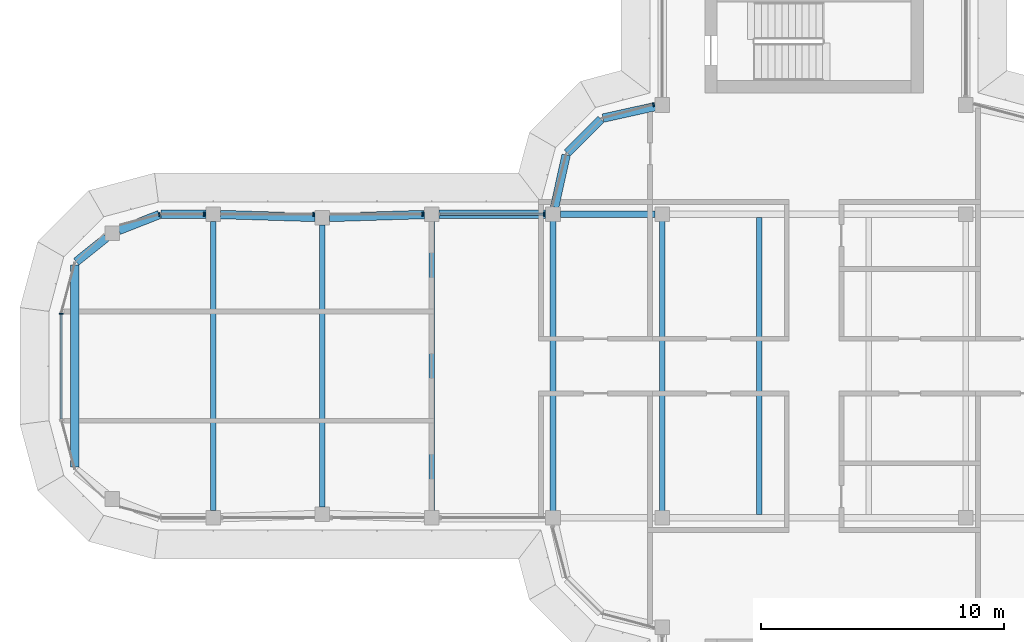
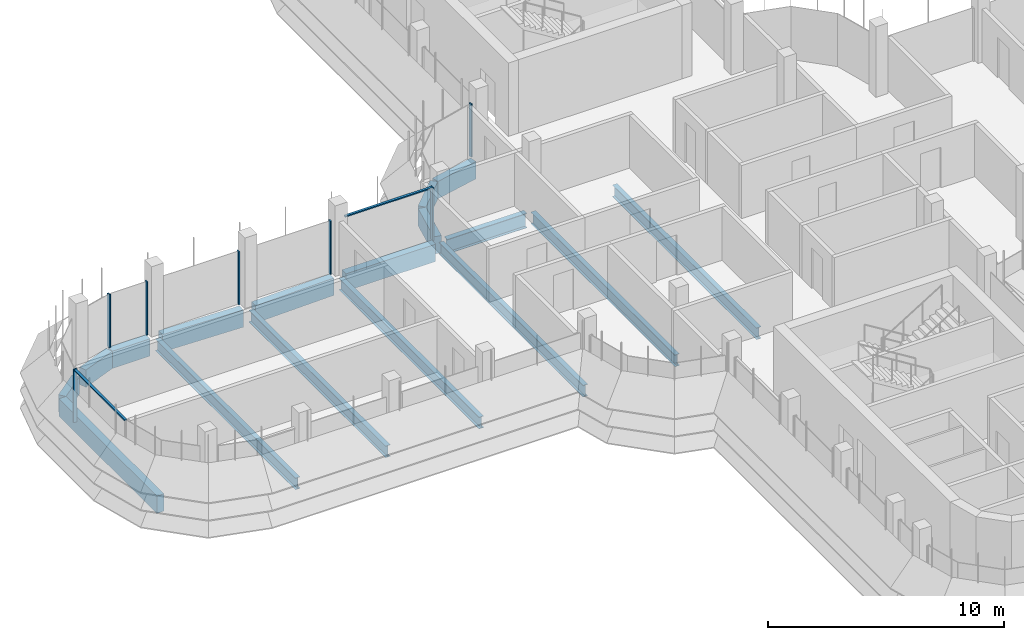
# One storey, part 6 of 19: 17 beams, 9 members, 4 elements without a shape of their own.
"""IFC4 building model written with IfcOpenShell, lengths in metres."""

import ifcopenshell
import ifcopenshell.guid

model = None  # the IFC model being written
_history = None  # IfcOwnerHistory: only IFC2X3 demands one
_inside = {}  # id of a spatial element -> (the spatial element, [elements in it])
_under = {}  # id of a project, library or spatial element -> (it, [spatial elements below it])
_declared = {}  # id of a project -> (the project, [libraries it declares])
_typed = {}  # id of a type object -> (the type object, [elements of that type])
_made_of = {}  # id of a material, layer set ... -> (it, [elements and type objects made of it])


def new_model(schema):
    """Start an empty IFC model of exactly this schema.

    Asked for "IFC4X3", IfcOpenShell would pick the latest addendum, in which some entities
    have other attributes; the version numbers below select the first issue.
    IFC2X3 requires an IfcOwnerHistory on every rooted entity: one is made here for all.
    """
    global model, _history
    if schema == "IFC4X3":
        model = ifcopenshell.file(schema_version=(4, 3, 0, 0))
    else:
        model = ifcopenshell.file(schema=schema)
    _inside.clear()
    _under.clear()
    _declared.clear()
    _typed.clear()
    _made_of.clear()
    _history = None
    if model.schema == "IFC2X3":
        org = make("IfcOrganization", Name="unknown")
        user = make(
            "IfcPersonAndOrganization",
            ThePerson=make("IfcPerson", FamilyName="unknown"),
            TheOrganization=org,
        )
        app = make(
            "IfcApplication",
            ApplicationDeveloper=org,
            Version="unknown",
            ApplicationFullName="unknown",
            ApplicationIdentifier="unknown",
        )
        _history = make(
            "IfcOwnerHistory",
            OwningUser=user,
            OwningApplication=app,
            ChangeAction="ADDED",
            CreationDate=0,
        )
    return model


def make(cls, **values):
    """One entity of the class cls with the attributes given. An attribute that is None is left unset."""
    return model.create_entity(
        cls, **{name: value for name, value in values.items() if value is not None}
    )


def rooted(cls, **values):
    """An entity with a GlobalId (a new one), such as an element, a storey or a relation."""
    return make(cls, GlobalId=ifcopenshell.guid.new(), OwnerHistory=_history, **values)


def si_unit(unit_type, name, prefix=None):
    """IfcSIUnit, for example si_unit("LENGTHUNIT", "METRE", prefix="MILLI")."""
    return make("IfcSIUnit", UnitType=unit_type, Prefix=prefix, Name=name)


def assignment(units):
    """IfcUnitAssignment: the units of a project."""
    return None if units is None else make("IfcUnitAssignment", Units=units)


def point(xyz):
    """IfcCartesianPoint."""
    return None if xyz is None else make("IfcCartesianPoint", Coordinates=xyz)


def direction(xyz):
    """IfcDirection."""
    return None if xyz is None else make("IfcDirection", DirectionRatios=xyz)


def frame(location, z_axis=None, x_axis=None):
    """IfcAxis2Placement3D, a coordinate frame: its origin and axes. An axis left out is left unset."""
    return make(
        "IfcAxis2Placement3D",
        Location=point(location),
        Axis=direction(z_axis),
        RefDirection=direction(x_axis),
    )


def frame_2d(location, x_axis=None):
    """IfcAxis2Placement2D, a coordinate frame in the plane: its origin and x axis."""
    return make(
        "IfcAxis2Placement2D", Location=point(location), RefDirection=direction(x_axis)
    )


def origin():
    """The frame at (0, 0, 0) with its axes left unset."""
    return frame((0.0, 0.0, 0.0))


def origin_2d():
    """The frame at (0, 0) in the plane with its x axis left unset."""
    return frame_2d((0.0, 0.0))


def place(relative_to, where):
    """IfcLocalPlacement: puts the frame where relative to a parent placement (None: the world)."""
    return make(
        "IfcLocalPlacement", PlacementRelTo=relative_to, RelativePlacement=where
    )


def context(
    kind, dimensions, precision=None, world=None, true_north=None, identifier=None
):
    """IfcGeometricRepresentationContext, for example the 3D "Model" context."""
    return make(
        "IfcGeometricRepresentationContext",
        ContextIdentifier=identifier,
        ContextType=kind,
        CoordinateSpaceDimension=dimensions,
        Precision=precision,
        WorldCoordinateSystem=world,
        TrueNorth=true_north,
    )


def subcontext(parent, identifier, kind, view, scale=None):
    """IfcGeometricRepresentationSubContext, for example "Body" below "Model"."""
    return make(
        "IfcGeometricRepresentationSubContext",
        ContextIdentifier=identifier,
        ContextType=kind,
        ParentContext=parent,
        TargetScale=scale,
        TargetView=view,
    )


def project(units=None, contexts=None):
    """IfcProject with its units and contexts."""
    return rooted(
        "IfcProject",
        Name="project",
        RepresentationContexts=contexts,
        UnitsInContext=assignment(units),
    )


def spatial(cls, under=None, at=None, **own):
    """A site, building, storey or space (cls), placed at a placement, below another one or the project."""
    s = rooted(cls, ObjectPlacement=at, **own)
    if under is not None:
        _under.setdefault(under.id(), (under, []))[1].append(s)
    return s


def polyline(points):
    """IfcPolyline through the points."""
    return make("IfcPolyline", Points=[point(p) for p in points])


def profile(cls, at=None, kind="AREA", **sizes):
    """A parametric profile (cls). Its sizes go by their IFC names, for example OverallWidth=200.0."""
    return make(cls, ProfileType=kind, Position=at, **sizes)


def rectangle(**sizes):
    """IfcRectangleProfileDef."""
    return profile("IfcRectangleProfileDef", **sizes)


def i_section(**sizes):
    """IfcIShapeProfileDef."""
    return profile("IfcIShapeProfileDef", **sizes)


def outline(outer, holes=None, kind="AREA"):
    """IfcArbitraryClosedProfileDef: a profile drawn as a closed curve; with holes, ...WithVoids."""
    if holes is None:
        return make("IfcArbitraryClosedProfileDef", ProfileType=kind, OuterCurve=outer)
    return make(
        "IfcArbitraryProfileDefWithVoids",
        ProfileType=kind,
        OuterCurve=outer,
        InnerCurves=holes,
    )


def extrude(swept, where, along, depth):
    """IfcExtrudedAreaSolid: the profile swept, set in the frame where, extruded along a direction by depth."""
    return make(
        "IfcExtrudedAreaSolid",
        SweptArea=swept,
        Position=where,
        ExtrudedDirection=direction(along),
        Depth=depth,
    )


def shape(context_of_items, identifier, shape_type, items):
    """IfcShapeRepresentation: the items that make up one representation, for example the "Body"."""
    return make(
        "IfcShapeRepresentation",
        ContextOfItems=context_of_items,
        RepresentationIdentifier=identifier,
        RepresentationType=shape_type,
        Items=items,
    )


def source(mapping_origin, context_of_items, identifier, shape_type, items):
    """IfcRepresentationMap: a shape defined once, which mapped items show again and again."""
    return make(
        "IfcRepresentationMap",
        MappingOrigin=mapping_origin,
        MappedRepresentation=shape(context_of_items, identifier, shape_type, items),
    )


def transform(
    local_origin,
    x_axis=None,
    y_axis=None,
    z_axis=None,
    scale=None,
    scale2=None,
    scale3=None,
    uniform=True,
):
    """IfcCartesianTransformationOperator3D, or its non-uniform kind. x_axis, y_axis, z_axis: its Axis1, 2, 3."""
    if uniform:
        return make(
            "IfcCartesianTransformationOperator3D",
            Axis1=direction(x_axis),
            Axis2=direction(y_axis),
            LocalOrigin=point(local_origin),
            Scale=scale,
            Axis3=direction(z_axis),
        )
    return make(
        "IfcCartesianTransformationOperator3DnonUniform",
        Axis1=direction(x_axis),
        Axis2=direction(y_axis),
        LocalOrigin=point(local_origin),
        Scale=scale,
        Axis3=direction(z_axis),
        Scale2=scale2,
        Scale3=scale3,
    )


def mapped(mapping_source, mapping_target):
    """IfcMappedItem: shows the shape of a source again, moved by a transform."""
    return make(
        "IfcMappedItem", MappingSource=mapping_source, MappingTarget=mapping_target
    )


def material(Name=None, Category=None):
    """IfcMaterial."""
    return make("IfcMaterial", Name=Name, Category=Category)


def material_profile(
    of_material, cross_section, Name=None, Category=None, Priority=None
):
    """IfcMaterialProfile: a cross section and its material."""
    return make(
        "IfcMaterialProfile",
        Name=Name,
        Material=of_material,
        Profile=cross_section,
        Priority=Priority,
        Category=Category,
    )


def profile_set(profiles, Name=None, composite=None):
    """IfcMaterialProfileSet."""
    return make(
        "IfcMaterialProfileSet",
        Name=Name,
        MaterialProfiles=profiles,
        CompositeProfile=composite,
    )


def made_of(thing, what):
    """Note that an element or type object is made of a material, layer set ...; save() writes the relation."""
    if what is not None:
        _made_of.setdefault(what.id(), (what, []))[1].append(thing)
    return thing


def type_object(cls, material=None, **own):
    """A type object (cls), such as IfcWallType, which elements share."""
    return made_of(rooted(cls, **own), material)


def element(
    cls,
    number,
    at=None,
    inside=None,
    cuts=None,
    type_object=None,
    material=None,
    context=None,
    identifier="Body",
    shape_type=None,
    held_by="IfcProductDefinitionShape",
    body=None,
    shapes=None,
    **own,
):
    """One element of the class cls, such as IfcWall. Its Tag is "e" and its number.

    at: its placement. inside: the storey or other place that contains it. cuts: it is an
    opening in that element (IfcRelVoidsElement). A single representation is given by context,
    identifier, shape_type and body (its items); several are given by shapes. held_by: the class
    of the entity that holds the representations. save() writes the other relations.
    """
    e = rooted(cls, Tag="e%d" % number, ObjectPlacement=at, **own)
    if body is not None:
        shapes = [shape(context, identifier, shape_type, body)]
    if shapes is not None:
        e.Representation = make(held_by, Representations=shapes)
    if inside is not None:
        _inside.setdefault(inside.id(), (inside, []))[1].append(e)
    if cuts is not None:
        rooted(
            "IfcRelVoidsElement", RelatingBuildingElement=cuts, RelatedOpeningElement=e
        )
    if type_object is not None:
        _typed.setdefault(type_object.id(), (type_object, []))[1].append(e)
    return made_of(e, material)


def aggregate(whole, parts):
    """IfcRelAggregates: a whole, such as a stair, and the parts it consists of."""
    return rooted("IfcRelAggregates", RelatingObject=whole, RelatedObjects=parts)


def save(model, path):
    """Write the relations noted so far, then the file.

    IfcRelAggregates (storeys below a building ...), IfcRelContainedInSpatialStructure (elements
    in a storey), IfcRelDefinesByType, IfcRelAssociatesMaterial and IfcRelDeclares: one each for
    every whole, place, type object, material and project.
    """
    for whole, parts in _under.values():
        aggregate(whole, parts)
    for where, things in _inside.values():
        rooted(
            "IfcRelContainedInSpatialStructure",
            RelatedElements=things,
            RelatingStructure=where,
        )
    for kind, things in _typed.values():
        rooted("IfcRelDefinesByType", RelatedObjects=things, RelatingType=kind)
    for what, things in _made_of.values():
        rooted("IfcRelAssociatesMaterial", RelatedObjects=things, RelatingMaterial=what)
    for by, libraries in _declared.values():
        rooted("IfcRelDeclares", RelatingContext=by, RelatedDefinitions=libraries)
    model.write(path)


model = new_model("IFC4")

# Units and contexts
model_context = context("Model", 3, precision=1e-05, world=origin(), true_north=direction((0.0, 1.0)))
body_context = subcontext(model_context, "Body", "Model", "MODEL_VIEW")
ifc_project = project(units=[si_unit("LENGTHUNIT", "METRE"), si_unit("AREAUNIT", "SQUARE_METRE"), si_unit("VOLUMEUNIT", "CUBIC_METRE"), si_unit("PLANEANGLEUNIT", "RADIAN"), si_unit("MASSUNIT", "GRAM", prefix="KILO")], contexts=[model_context])

# Site, building, storey
site_placement = place(None, origin())
site = spatial("IfcSite", under=ifc_project, at=site_placement, CompositionType="ELEMENT")
building_placement = place(site_placement, origin())
building = spatial("IfcBuilding", under=site, at=building_placement, Name="Zarbagh Exchange Tower", CompositionType="ELEMENT")
storey_placement = place(building_placement, frame((0.0, 0.0, 272.60009765625)))
storey = spatial("IfcBuildingStorey", under=building, at=storey_placement, Name="L67", CompositionType="ELEMENT", Elevation=272.60009765625)

# Beams
ifc_material_1 = material(Name="Steel ASTM A992 Gr 50", Category="steel")
ifc_material_profile_1 = material_profile(ifc_material_1, i_section(OverallWidth=0.228271484375, OverallDepth=0.607177734375, WebThickness=0.01123046875, FlangeThickness=0.017333984375, at=origin_2d()), Name="W24X76")
ifc_profile_set_1 = profile_set([ifc_material_profile_1], Name="Steel ASTM A992 Gr 50")
beam_type_1 = type_object("IfcBeamType", Name="Floor beam W24X76", PredefinedType="BEAM", material=ifc_profile_set_1)
for number, where, z_axis, x_axis, name in (
    (1, (-10.75, -6.11669921875, -0.45361328125), (0.0, 1.0, 0.0), (-1.0, 0.0, 0.0), "Steel floor beam"),
    (2, (-6.25, -6.11669921875, -0.45361328125), (0.0, 1.0, 0.0), (-1.0, 0.0, 0.0), "Steel floor beam"),
    (3, (-2.25, -6.11669921875, -0.45361328125), (0.0, 1.0, 0.0), (-1.0, 0.0, 0.0), "Steel floor beam"),
):
    element("IfcBeam", number, at=place(storey_placement, frame(where, z_axis=z_axis, x_axis=x_axis)), inside=storey, type_object=beam_type_1, Name=name, PredefinedType="BEAM", context=body_context, shape_type="SweptSolid", body=[
        extrude(i_section(OverallWidth=0.228271484375, OverallDepth=0.607177734375, WebThickness=0.01123046875, FlangeThickness=0.017333984375, at=origin_2d()), origin(), (0.0, 0.0, 1.0), 12.2333984375),
    ])
beam_1_placement = place(storey_placement, frame((-15.75, -5.949951171875, -0.45361328125), z_axis=(0.0, 1.0, 0.0), x_axis=(-1.0, 0.0, 0.0)))
element("IfcBeam", 4, at=beam_1_placement, inside=storey, type_object=beam_type_1, Name="Steel floor beam", PredefinedType="BEAM", context=body_context, shape_type="SweptSolid", body=[
    extrude(i_section(OverallWidth=0.228271484375, OverallDepth=0.607177734375, WebThickness=0.01123046875, FlangeThickness=0.017333984375, at=origin_2d()), origin(), (0.0, 0.0, 1.0), 11.89990234375),
])
beam_2_placement = place(storey_placement, frame((-20.25, -5.81005859375, -0.45361328125), z_axis=(0.0, 1.0, 0.0), x_axis=(-1.0, 0.0, 0.0)))
element("IfcBeam", 5, at=beam_2_placement, inside=storey, type_object=beam_type_1, Name="Steel floor beam", PredefinedType="BEAM", context=body_context, shape_type="SweptSolid", body=[
    extrude(i_section(OverallWidth=0.228271484375, OverallDepth=0.607177734375, WebThickness=0.01123046875, FlangeThickness=0.017333984375, at=origin_2d()), origin(), (0.0, 0.0, 1.0), 11.6201171875),
])
beam_3_placement = place(storey_placement, frame((-24.75, -5.949951171875, -0.45361328125), z_axis=(0.0, 1.0, 0.0), x_axis=(-1.0, 0.0, 0.0)))
element("IfcBeam", 6, at=beam_3_placement, inside=storey, type_object=beam_type_1, Name="Steel floor beam", PredefinedType="BEAM", context=body_context, shape_type="SweptSolid", body=[
    extrude(i_section(OverallWidth=0.228271484375, OverallDepth=0.607177734375, WebThickness=0.01123046875, FlangeThickness=0.017333984375, at=origin_2d()), origin(), (0.0, 0.0, 1.0), 11.89990234375),
])
ifc_material_profile_2 = material_profile(ifc_material_1, i_section(OverallWidth=0.2666015625, OverallDepth=0.7568359375, WebThickness=0.013916015625, FlangeThickness=0.019287109375, at=origin_2d()), Name="W30X108")
ifc_profile_set_2 = profile_set([ifc_material_profile_2], Name="Steel ASTM A992 Gr 50")
beam_type_2 = type_object("IfcBeamType", Name="Floor girder W30X108", PredefinedType="BEAM", material=ifc_profile_set_2)
beam_4_placement = place(storey_placement, frame((-10.449951171875, 6.25, -0.528564453125), z_axis=(1.0, 0.0, 0.0), x_axis=(0.0, 1.0, 0.0)))
element("IfcBeam", 7, at=beam_4_placement, inside=storey, type_object=beam_type_2, Name="Steel girder", PredefinedType="BEAM", context=body_context, shape_type="SweptSolid", body=[
    extrude(i_section(OverallWidth=0.2666015625, OverallDepth=0.7568359375, WebThickness=0.013916015625, FlangeThickness=0.019287109375, at=origin_2d()), origin(), (0.0, 0.0, 1.0), 3.89990234375),
])
ifc_material_2 = material(Name="Concrete C40/50", Category="concrete")
ifc_material_profile_3 = material_profile(ifc_material_2, rectangle(XDim=0.35009765625, YDim=0.89990234375, at=origin_2d()), Name="RC spandrel beam 350 x 900 C40/50")
ifc_profile_set_3 = profile_set([ifc_material_profile_3], Name="Concrete C40/50")
beam_type_3 = type_object("IfcBeamType", Name="RC spandrel beam 350 x 900 C40/50", PredefinedType="SPANDREL", material=ifc_profile_set_3)
beam_5_placement = place(storey_placement, frame((-30.44873046875, -4.156982421875, -0.60009765625), z_axis=(0.0, 1.0, 0.0), x_axis=(-1.0, 0.0, 0.0)))
element("IfcBeam", 8, at=beam_5_placement, inside=storey, type_object=beam_type_3, Name="RC spandrel beam", PredefinedType="SPANDREL", context=body_context, shape_type="SweptSolid", body=[
    extrude(rectangle(XDim=0.35009765625, YDim=0.89990234375, at=origin_2d()), origin(), (0.0, 0.0, 1.0), 8.31396484375),
])
beam_6_placement = place(storey_placement, frame((-30.38330078125, 4.293701171875, -0.60009765625), z_axis=(0.780584122498, 0.625050740104, 0.0), x_axis=(-0.625050740104, 0.780584122498, 0.0)))
element("IfcBeam", 9, at=beam_6_placement, inside=storey, type_object=beam_type_3, Name="RC spandrel beam", PredefinedType="SPANDREL", context=body_context, shape_type="SweptSolid", body=[
    extrude(rectangle(XDim=0.35009765625, YDim=0.89990234375, at=origin_2d()), origin(), (0.0, 0.0, 1.0), 1.590087890625),
])
beam_7_placement = place(storey_placement, frame((-28.62890625, 5.584716796875, -0.60009765625), z_axis=(0.930859366381, 0.365377667655, 0.0), x_axis=(-0.365377667655, 0.930859366381, 0.0)))
element("IfcBeam", 10, at=beam_7_placement, inside=storey, type_object=beam_type_3, Name="RC spandrel beam", PredefinedType="SPANDREL", context=body_context, shape_type="SweptSolid", body=[
    extrude(rectangle(XDim=0.35009765625, YDim=0.89990234375, at=origin_2d()), origin(), (0.0, 0.0, 1.0), 1.787353515625),
])
beam_8_placement = place(storey_placement, frame((-26.90087890625, 6.25, -0.60009765625), z_axis=(1.0, 0.0, 0.0), x_axis=(0.0, 1.0, 0.0)))
element("IfcBeam", 11, at=beam_8_placement, inside=storey, type_object=beam_type_3, Name="RC spandrel beam", PredefinedType="SPANDREL", context=body_context, shape_type="SweptSolid", body=[
    extrude(rectangle(XDim=0.35009765625, YDim=0.89990234375, at=origin_2d()), origin(), (0.0, 0.0, 1.0), 1.850830078125),
])
for number, where, z_axis, x_axis, name in (
    (12, (-24.4501953125, 6.24072265625, -0.60009765625), (0.999516460907, -0.031094121249, 0.0), (0.031094121249, 0.999516460907, 0.0), "RC spandrel beam"),
    (13, (-19.9501953125, 6.119384765625, -0.60009765625), (0.999516460907, 0.031094121249, 0.0), (-0.031094121249, 0.999516460907, 0.0), "RC spandrel beam"),
):
    element("IfcBeam", number, at=place(storey_placement, frame(where, z_axis=z_axis, x_axis=x_axis)), inside=storey, type_object=beam_type_3, Name=name, PredefinedType="SPANDREL", context=body_context, shape_type="SweptSolid", body=[
        extrude(rectangle(XDim=0.35009765625, YDim=0.89990234375, at=origin_2d()), origin(), (0.0, 0.0, 1.0), 3.90234375),
    ])
beam_9_placement = place(storey_placement, frame((-15.449951171875, 6.25, -0.60009765625), z_axis=(1.0, 0.0, 0.0), x_axis=(0.0, 1.0, 0.0)))
element("IfcBeam", 14, at=beam_9_placement, inside=storey, type_object=beam_type_3, Name="RC spandrel beam", PredefinedType="SPANDREL", context=body_context, shape_type="SweptSolid", body=[
    extrude(rectangle(XDim=0.35009765625, YDim=0.89990234375, at=origin_2d()), origin(), (0.0, 0.0, 1.0), 4.39990234375),
])
beam_10_placement = place(storey_placement, frame((-10.685302734375, 6.54296875, -0.60009765625), z_axis=(0.216025770228, 0.976387662047, 0.0), x_axis=(-0.976387662047, 0.216025770228, 0.0)))
element("IfcBeam", 15, at=beam_10_placement, inside=storey, type_object=beam_type_3, Name="RC spandrel beam", PredefinedType="SPANDREL", context=body_context, shape_type="SweptSolid", body=[
    extrude(rectangle(XDim=0.35009765625, YDim=0.89990234375, at=origin_2d()), origin(), (0.0, 0.0, 1.0), 2.200439453125),
])
beam_11_placement = place(storey_placement, frame((-10.16259765625, 8.77734375, -0.60009765625), z_axis=(0.707106781187, 0.707106781187, 0.0), x_axis=(-0.707106781187, 0.707106781187, 0.0)))
element("IfcBeam", 16, at=beam_11_placement, inside=storey, type_object=beam_type_3, Name="RC spandrel beam", PredefinedType="SPANDREL", context=body_context, shape_type="SweptSolid", body=[
    extrude(rectangle(XDim=0.35009765625, YDim=0.89990234375, at=origin_2d()), origin(), (0.0, 0.0, 1.0), 1.958984375),
])
beam_12_placement = place(storey_placement, frame((-8.69140625, 10.2099609375, -0.60009765625), z_axis=(0.976387662047, 0.216025770228, 0.0), x_axis=(-0.216025770228, 0.976387662047, 0.0)))
element("IfcBeam", 17, at=beam_12_placement, inside=storey, type_object=beam_type_3, Name="RC spandrel beam", PredefinedType="SPANDREL", context=body_context, shape_type="SweptSolid", body=[
    extrude(rectangle(XDim=0.35009765625, YDim=0.89990234375, at=origin_2d()), origin(), (0.0, 0.0, 1.0), 2.200439453125),
])

# Curtain wall, member
ifc_material_3 = material(Name="Anodised aluminium frame and glazing", Category="aluminium")
curtain_wall_type = type_object("IfcCurtainWallType", Name="CWB Ribbon glazing, upper zones", PredefinedType="NOTDEFINED", material=ifc_material_3)
curtain_wall_1_placement = place(storey_placement, origin())
curtain_wall_1 = element("IfcCurtainWall", 18, at=curtain_wall_1_placement, inside=storey, type_object=curtain_wall_type, Name="CWB29 curtain wall", PredefinedType="NOTDEFINED")
ifc_material_4 = material(Name="Anodised aluminium frame", Category="aluminium")
member_type_1 = type_object("IfcMemberType", Name="MUB Mullion, anodised aluminium frame", PredefinedType="MULLION", material=ifc_material_4)
shared_shape_1 = source(origin(), body_context, "Body", "SweptSolid", [
    extrude(outline(polyline([(0.0, -0.080078125), (0.06005859375, -0.080078125), (0.06005859375, 0.080078125), (0.0, 0.080078125), (0.0, -0.080078125)])), origin(), (0.0, 0.0, 1.0), 2.75),
])
placement = place(storey_placement, origin())
member_1 = element("IfcMember", 19, at=placement, type_object=member_type_1, Name="CWB29 mullion 1.1", PredefinedType="MULLION", context=body_context, shape_type="MappedRepresentation", body=[
    mapped(shared_shape_1, transform((-6.590087890625, 10.775146484375, 0.0), x_axis=(-0.965924289636, -0.258824779902, 0.0), y_axis=(0.258824779902, -0.965924289636, 0.0), z_axis=(0.0, 0.0, 1.0))),
])
aggregate(curtain_wall_1, [member_1])

# Curtain wall, members
curtain_wall_2_placement = place(storey_placement, origin())
curtain_wall_2 = element("IfcCurtainWall", 20, at=curtain_wall_2_placement, inside=storey, type_object=curtain_wall_type, Name="CWB58 curtain wall", PredefinedType="NOTDEFINED")
member_2 = element("IfcMember", 21, at=placement, type_object=member_type_1, Name="CWB58 mullion 1.1", PredefinedType="MULLION", context=body_context, shape_type="MappedRepresentation", body=[
    mapped(shared_shape_1, transform((-11.090087890625, 6.25, 0.0), x_axis=(-1.0, 0.0, 0.0), y_axis=(0.0, -1.0, 0.0), z_axis=(0.0, 0.0, 1.0))),
])
member_3 = element("IfcMember", 22, at=placement, type_object=member_type_1, Name="CWB58 mullion 2.1", PredefinedType="MULLION", context=body_context, shape_type="MappedRepresentation", body=[
    mapped(shared_shape_1, transform((-16.090087890625, 6.25, 0.0), x_axis=(-1.0, 0.0, 0.0), y_axis=(0.0, -1.0, 0.0), z_axis=(0.0, 0.0, 1.0))),
])
member_4 = element("IfcMember", 23, at=placement, type_object=member_type_1, Name="CWB58 mullion 3.1", PredefinedType="MULLION", context=body_context, shape_type="MappedRepresentation", body=[
    mapped(shared_shape_1, transform((-20.590087890625, 6.25, 0.0), x_axis=(-1.0, 0.0, 0.0), y_axis=(0.0, -1.0, 0.0), z_axis=(0.0, 0.0, 1.0))),
])
member_5 = element("IfcMember", 24, at=placement, type_object=member_type_1, Name="CWB58 mullion 4.1", PredefinedType="MULLION", context=body_context, shape_type="MappedRepresentation", body=[
    mapped(shared_shape_1, transform((-25.090087890625, 6.25, 0.0), x_axis=(-1.0, 0.0, 0.0), y_axis=(0.0, -1.0, 0.0), z_axis=(0.0, 0.0, 1.0))),
])

# Curtain wall, member
curtain_wall_3_placement = place(storey_placement, origin())
curtain_wall_3 = element("IfcCurtainWall", 25, at=curtain_wall_3_placement, inside=storey, type_object=curtain_wall_type, Name="CWB59 curtain wall", PredefinedType="NOTDEFINED")
member_6 = element("IfcMember", 26, at=placement, type_object=member_type_1, Name="CWB59 mullion 1.1", PredefinedType="MULLION", context=body_context, shape_type="MappedRepresentation", body=[
    mapped(shared_shape_1, transform((-26.93408203125, 6.25, 0.0), x_axis=(-0.965924289636, -0.258824779902, 0.0), y_axis=(0.258824779902, -0.965924289636, 0.0), z_axis=(0.0, 0.0, 1.0))),
])
aggregate(curtain_wall_3, [member_6])

# Curtain wall, members
curtain_wall_4_placement = place(storey_placement, origin())
curtain_wall_4 = element("IfcCurtainWall", 27, at=curtain_wall_4_placement, inside=storey, type_object=curtain_wall_type, Name="CWB66 curtain wall", PredefinedType="NOTDEFINED")
member_7 = element("IfcMember", 28, at=placement, type_object=member_type_1, Name="CWB66 mullion 1.1", PredefinedType="MULLION", context=body_context, shape_type="MappedRepresentation", body=[
    mapped(shared_shape_1, transform((-31.0, 2.18408203125, 0.0), x_axis=(0.0, -1.0, 0.0), y_axis=(1.0, 0.0, 0.0), z_axis=(0.0, 0.0, 1.0))),
])
member_type_2 = type_object("IfcMemberType", Name="TRB Transom, anodised aluminium frame", PredefinedType="USERDEFINED", material=ifc_material_4)
shared_shape_2 = source(origin(), body_context, "Body", "SweptSolid", [
    extrude(outline(polyline([(-0.06005859375, -0.06005859375), (0.0, -0.06005859375), (0.0, 0.06005859375), (-0.06005859375, 0.06005859375), (-0.06005859375, -0.06005859375)])), origin(), (0.0, 0.0, 1.0), 4.308349609375),
])
member_8 = element("IfcMember", 29, at=placement, type_object=member_type_2, Name="CWB66 transom 1.1", ObjectType="TRANSOM", PredefinedType="USERDEFINED", context=body_context, shape_type="MappedRepresentation", body=[
    mapped(shared_shape_2, transform((-31.0, 2.124267578125, 2.75), x_axis=(0.0, 0.0, 1.0), y_axis=(-1.0, 0.0, 0.0), z_axis=(0.0, -1.0, 0.0))),
])
aggregate(curtain_wall_4, [member_7, member_8])

# Member
shared_shape_3 = source(origin(), body_context, "Body", "SweptSolid", [
    extrude(outline(polyline([(-0.06005859375, -0.06005859375), (0.0, -0.06005859375), (0.0, 0.06005859375), (-0.06005859375, 0.06005859375), (-0.06005859375, -0.06005859375)])), origin(), (0.0, 0.0, 1.0), 4.260009765625),
])
member_9 = element("IfcMember", 30, at=placement, type_object=member_type_2, Name="CWB58 transom 1.1", ObjectType="TRANSOM", PredefinedType="USERDEFINED", context=body_context, shape_type="MappedRepresentation", body=[
    mapped(shared_shape_3, transform((-11.150146484375, 6.25, 2.75), x_axis=(0.0, 0.0, 1.0), y_axis=(0.0, 1.0, 0.0), z_axis=(-1.0, 0.0, 0.0))),
])

aggregate(curtain_wall_2, [member_2, member_9, member_3, member_4, member_5])

save(model, "model.ifc")
